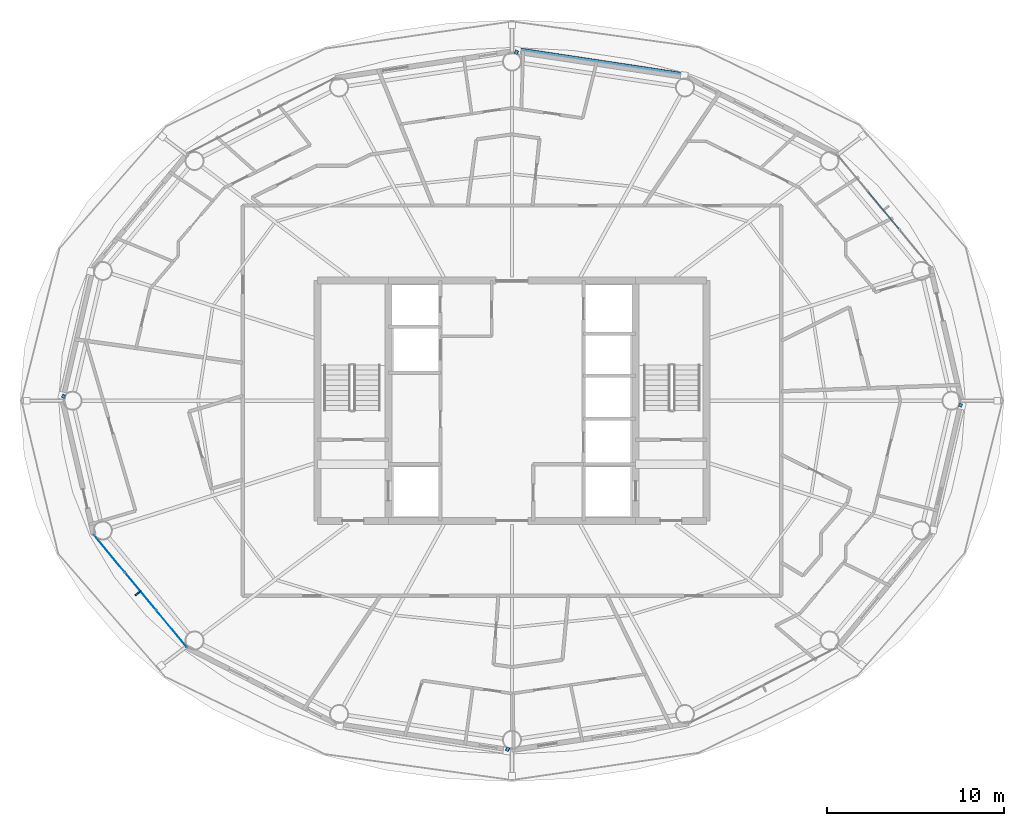
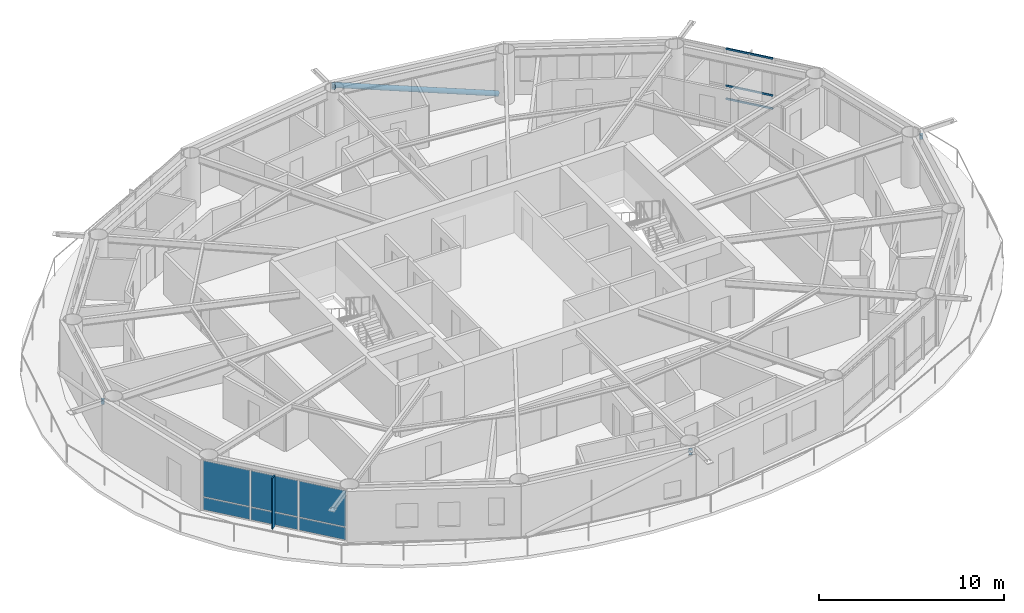
# One storey, part 12 of 23: 8 members, 7 plates, 2 elements without a shape of their own.
"""IFC4 building model written with IfcOpenShell, lengths in metres."""

from ifc_helpers import new_model, si_unit, direction, frame, origin, origin_2d, place, context, subcontext, project, spatial, rectangle, hollow_rectangle, hollow_circle, extrude, material, layer, layer_set, material_profile, profile_set, type_object, element, aggregate, save


model = new_model("IFC4")

# Units and contexts
model_context = context("Model", 3, precision=1e-05, world=origin(), true_north=direction((0.0, 1.0)))
body_context = subcontext(model_context, "Body", "Model", "MODEL_VIEW")
ifc_project = project(units=[si_unit("LENGTHUNIT", "METRE"), si_unit("AREAUNIT", "SQUARE_METRE"), si_unit("VOLUMEUNIT", "CUBIC_METRE"), si_unit("PLANEANGLEUNIT", "RADIAN"), si_unit("MASSUNIT", "GRAM", prefix="KILO")], contexts=[model_context])

# Site, building, storey
site_placement = place(None, origin())
site = spatial("IfcSite", under=ifc_project, at=site_placement, CompositionType="ELEMENT")
building_placement = place(site_placement, origin())
building = spatial("IfcBuilding", under=site, at=building_placement, Name="Sarneth Arch Tower", CompositionType="ELEMENT")
storey_placement = place(building_placement, frame((0.0, 0.0, 235.199951171875)))
storey = spatial("IfcBuildingStorey", under=building, at=storey_placement, Name="L60", CompositionType="ELEMENT", Elevation=235.199951171875)

# Curtain wall, members
ifc_material_1 = material(Name="Anodised aluminium Type AA25 and solar-control low-e laminated IGU", Category="aluminium")
ifc_layer_1 = layer(ifc_material_1, 0.179931640625)
ifc_layer_set_1 = layer_set([ifc_layer_1], Name="Anodised aluminium Type AA25 and solar-control low-e laminated IGU")
curtain_wall_type = type_object("IfcCurtainWallType", Name="CW-RES-HIGH", PredefinedType="NOTDEFINED", material=ifc_layer_set_1)
curtain_wall_1_placement = place(storey_placement, origin())
curtain_wall_1 = element("IfcCurtainWall", 1, at=curtain_wall_1_placement, inside=storey, type_object=curtain_wall_type, Name="L60 Unitised curtain wall facet 02", PredefinedType="NOTDEFINED")
ifc_material_2 = material(Name="Anodised Aluminium 6063-T6", Category="aluminium")
ifc_material_profile_1 = material_profile(ifc_material_2, hollow_rectangle(XDim=0.06005859375, YDim=0.1201171875, WallThickness=0.00390625, at=origin_2d()), Name="AL-TRAN-120x60x4")
ifc_profile_set_1 = profile_set([ifc_material_profile_1], Name="Anodised Aluminium 6063-T6")
member_type_1 = type_object("IfcMemberType", Name="CW-TRANSOM", PredefinedType="USERDEFINED", material=ifc_profile_set_1)
member_1_placement = place(storey_placement, frame((69.904296875, 51.731689453125, 0.030029296875), z_axis=(-0.637617371902, 0.770353222261, 0.0), x_axis=(-0.770353222261, -0.637617371902, 0.0)))
member_1 = element("IfcMember", 2, at=member_1_placement, type_object=member_type_1, Name="CW-SYS-6 transom 2.1", ObjectType="TRANSOM", PredefinedType="USERDEFINED", context=body_context, shape_type="SweptSolid", body=[
    extrude(hollow_rectangle(XDim=0.06005859375, YDim=0.1201171875, WallThickness=0.00390625, at=origin_2d()), origin(), (0.0, 0.0, 1.0), 2.716552734375),
])
member_2_placement = place(storey_placement, frame((69.904296875, 51.731689453125, 0.900146484375), z_axis=(-0.637617371902, 0.770353222261, 0.0), x_axis=(-0.770353222261, -0.637617371902, 0.0)))
member_2 = element("IfcMember", 3, at=member_2_placement, type_object=member_type_1, Name="CW-SYS-6 transom 2.2", ObjectType="TRANSOM", PredefinedType="USERDEFINED", context=body_context, shape_type="SweptSolid", body=[
    extrude(hollow_rectangle(XDim=0.06005859375, YDim=0.1201171875, WallThickness=0.00390625, at=origin_2d()), origin(), (0.0, 0.0, 1.0), 2.716552734375),
])
member_3_placement = place(storey_placement, frame((69.904296875, 51.731689453125, 3.330078125), z_axis=(-0.637617371902, 0.770353222261, 0.0), x_axis=(-0.770353222261, -0.637617371902, 0.0)))
member_3 = element("IfcMember", 4, at=member_3_placement, type_object=member_type_1, Name="CW-SYS-6 transom 2.3", ObjectType="TRANSOM", PredefinedType="USERDEFINED", context=body_context, shape_type="SweptSolid", body=[
    extrude(hollow_rectangle(XDim=0.06005859375, YDim=0.1201171875, WallThickness=0.00390625, at=origin_2d()), origin(), (0.0, 0.0, 1.0), 2.716552734375),
])
aggregate(curtain_wall_1, [member_1, member_2, member_3])

# Members
ifc_material_3 = material(Name="Steel S355", Category="steel")
ifc_material_profile_2 = material_profile(ifc_material_3, hollow_rectangle(XDim=0.199951171875, YDim=0.300048828125, WallThickness=0.012451171875, InnerFilletRadius=0.018798828125, OuterFilletRadius=0.03125, at=origin_2d()), Name="RHS300x200x12.5")
ifc_profile_set_2 = profile_set([ifc_material_profile_2], Name="Steel S355")
member_type_2 = type_object("IfcMemberType", Name="MEM-CANT-STRUT", PredefinedType="STRUT", material=ifc_profile_set_2)
member_4_placement = place(storey_placement, frame((48.199951171875, 61.628173828125, 3.03662109375), z_axis=(0.422710146308, 0.906264934888, 0.0), x_axis=(-0.906264934888, 0.422710146308, 0.0)))
element("IfcMember", 5, at=member_4_placement, inside=storey, type_object=member_type_2, Name="L60 Exoskeleton brace node strut 04B", PredefinedType="STRUT", context=body_context, shape_type="SweptSolid", body=[
    extrude(hollow_rectangle(XDim=0.199951171875, YDim=0.300048828125, WallThickness=0.012451171875, InnerFilletRadius=0.018798828125, OuterFilletRadius=0.03125, at=origin_2d()), origin(), (0.0, 0.0, 1.0), 0.228759765625),
])
member_5_placement = place(storey_placement, frame((22.69287109375, 42.208740234375, 3.03662109375), z_axis=(-0.89699725539, 0.442036111446, 0.0), x_axis=(-0.442036111446, -0.89699725539, 0.0)))
element("IfcMember", 6, at=member_5_placement, inside=storey, type_object=member_type_2, Name="L60 Exoskeleton brace node strut 08B", PredefinedType="STRUT", context=body_context, shape_type="SweptSolid", body=[
    extrude(hollow_rectangle(XDim=0.199951171875, YDim=0.300048828125, WallThickness=0.012451171875, InnerFilletRadius=0.018798828125, OuterFilletRadius=0.03125, at=origin_2d()), origin(), (0.0, 0.0, 1.0), 0.18896484375),
])
member_6_placement = place(storey_placement, frame((47.800048828125, 22.371826171875, 3.03662109375), z_axis=(-0.422710146308, -0.906264934888, 0.0), x_axis=(0.906264934888, -0.422710146308, 0.0)))
element("IfcMember", 7, at=member_6_placement, inside=storey, type_object=member_type_2, Name="L60 Exoskeleton brace node strut 12B", PredefinedType="STRUT", context=body_context, shape_type="SweptSolid", body=[
    extrude(hollow_rectangle(XDim=0.199951171875, YDim=0.300048828125, WallThickness=0.012451171875, InnerFilletRadius=0.018798828125, OuterFilletRadius=0.03125, at=origin_2d()), origin(), (0.0, 0.0, 1.0), 0.228759765625),
])
member_7_placement = place(storey_placement, frame((73.30712890625, 41.791259765625, 3.03662109375), z_axis=(0.89699725539, -0.442036111446, 0.0), x_axis=(0.442036111446, 0.89699725539, 0.0)))
element("IfcMember", 8, at=member_7_placement, inside=storey, type_object=member_type_2, Name="L60 Exoskeleton brace node strut 16B", PredefinedType="STRUT", context=body_context, shape_type="SweptSolid", body=[
    extrude(hollow_rectangle(XDim=0.199951171875, YDim=0.300048828125, WallThickness=0.012451171875, InnerFilletRadius=0.018798828125, OuterFilletRadius=0.03125, at=origin_2d()), origin(), (0.0, 0.0, 1.0), 0.18896484375),
])
ifc_material_4 = material(Name="Steel S355", Category="steel")
ifc_material_profile_3 = material_profile(ifc_material_4, hollow_circle(Radius=0.162109375, WallThickness=0.012451171875, at=origin_2d()), Name="CHS324x12.5")
ifc_profile_set_3 = profile_set([ifc_material_profile_3], Name="Steel S355")
member_type_3 = type_object("IfcMemberType", Name="MEM-DIAG-BR3", PredefinedType="BRACE", material=ifc_profile_set_3)
member_8_placement = place(storey_placement, frame((57.754150390625, 60.411376953125, 0.02001953125), z_axis=(-0.943056107878, 0.142001297879, 0.300800280576), x_axis=(-0.148897148305, -0.988852688335, 0.0)))
element("IfcMember", 9, at=member_8_placement, inside=storey, type_object=member_type_3, Name="L60 Perimeter frame diagonal 04", PredefinedType="BRACE", context=body_context, shape_type="SweptSolid", body=[
    extrude(hollow_circle(Radius=0.162109375, WallThickness=0.012451171875, at=origin_2d()), origin(), (0.0, 0.0, 1.0), 10.028564453125),
])

# Curtain wall, plates
curtain_wall_2_placement = place(storey_placement, origin())
curtain_wall_2 = element("IfcCurtainWall", 10, at=curtain_wall_2_placement, inside=storey, type_object=curtain_wall_type, Name="L60 Unitised curtain wall facet 10", PredefinedType="NOTDEFINED")
ifc_material_5 = material(Name="Solar-control low-e laminated IGU", Category="glass")
ifc_layer_2 = layer(ifc_material_5, 0.028076171875)
ifc_layer_set_2 = layer_set([ifc_layer_2], Name="Solar-control low-e laminated IGU")
plate_type_1 = type_object("IfcPlateType", Name="CW-PANEL", PredefinedType="CURTAIN_PANEL", material=ifc_layer_set_2)
plate_1_placement = place(storey_placement, frame((25.200927734375, 33.349365234375, 0.06005859375), z_axis=(0.0, 0.0, 1.0), x_axis=(0.637610094184, -0.770359245933, 0.0)))
plate_1 = element("IfcPlate", 11, at=plate_1_placement, type_object=plate_type_1, Name="Curtain wall glazed vision pane CW-L60-F10/P00-00", PredefinedType="CURTAIN_PANEL", context=body_context, shape_type="SweptSolid", body=[
    extrude(rectangle(XDim=2.686767578125, YDim=0.028076171875, at=origin_2d()), origin(), (0.0, 0.0, 1.0), 0.81005859375),
])
plate_2_placement = place(storey_placement, frame((25.200927734375, 33.349365234375, 0.929931640625), z_axis=(0.0, 0.0, 1.0), x_axis=(0.637610094184, -0.770359245933, 0.0)))
plate_2 = element("IfcPlate", 12, at=plate_2_placement, type_object=plate_type_1, Name="Curtain wall glazed vision pane CW-L60-F10/P00-01", PredefinedType="CURTAIN_PANEL", context=body_context, shape_type="SweptSolid", body=[
    extrude(rectangle(XDim=2.686767578125, YDim=0.028076171875, at=origin_2d()), origin(), (0.0, 0.0, 1.0), 2.3701171875),
])
plate_3_placement = place(storey_placement, frame((26.9619140625, 31.221923828125, 0.06005859375), z_axis=(0.0, 0.0, 1.0), x_axis=(0.637610094184, -0.770359245933, 0.0)))
plate_3 = element("IfcPlate", 13, at=plate_3_placement, type_object=plate_type_1, Name="Curtain wall glazed vision pane CW-L60-F10/P01-00", PredefinedType="CURTAIN_PANEL", context=body_context, shape_type="SweptSolid", body=[
    extrude(rectangle(XDim=2.716552734375, YDim=0.028076171875, at=origin_2d()), origin(), (0.0, 0.0, 1.0), 0.81005859375),
])
plate_4_placement = place(storey_placement, frame((26.9619140625, 31.221923828125, 0.929931640625), z_axis=(0.0, 0.0, 1.0), x_axis=(0.637610094184, -0.770359245933, 0.0)))
plate_4 = element("IfcPlate", 14, at=plate_4_placement, type_object=plate_type_1, Name="Curtain wall glazed vision pane CW-L60-F10/P01-01", PredefinedType="CURTAIN_PANEL", context=body_context, shape_type="SweptSolid", body=[
    extrude(rectangle(XDim=2.716552734375, YDim=0.028076171875, at=origin_2d()), origin(), (0.0, 0.0, 1.0), 2.3701171875),
])
plate_5_placement = place(storey_placement, frame((28.72265625, 29.094482421875, 0.06005859375), z_axis=(0.0, 0.0, 1.0), x_axis=(0.637610094184, -0.770359245933, 0.0)))
plate_5 = element("IfcPlate", 15, at=plate_5_placement, type_object=plate_type_1, Name="Curtain wall glazed vision pane CW-L60-F10/P02-00", PredefinedType="CURTAIN_PANEL", context=body_context, shape_type="SweptSolid", body=[
    extrude(rectangle(XDim=2.686767578125, YDim=0.028076171875, at=origin_2d()), origin(), (0.0, 0.0, 1.0), 0.81005859375),
])
plate_6_placement = place(storey_placement, frame((28.72265625, 29.094482421875, 0.929931640625), z_axis=(0.0, 0.0, 1.0), x_axis=(0.637610094184, -0.770359245933, 0.0)))
plate_6 = element("IfcPlate", 16, at=plate_6_placement, type_object=plate_type_1, Name="Curtain wall glazed vision pane CW-L60-F10/P02-01", PredefinedType="CURTAIN_PANEL", context=body_context, shape_type="SweptSolid", body=[
    extrude(rectangle(XDim=2.686767578125, YDim=0.028076171875, at=origin_2d()), origin(), (0.0, 0.0, 1.0), 2.3701171875),
])
aggregate(curtain_wall_2, [plate_1, plate_2, plate_3, plate_4, plate_5, plate_6])

# Plate
ifc_material_6 = material(Name="Extruded glazed terracotta baguette fin on Aluminium 6063-T6 carrier", Category="masonry")
ifc_layer_3 = layer(ifc_material_6, 0.080078125)
ifc_layer_set_3 = layer_set([ifc_layer_3], Name="Extruded glazed terracotta baguette fin on Aluminium 6063-T6 carrier")
plate_type_2 = type_object("IfcPlateType", Name="SHADE-TERRA-FIN", PredefinedType="SHEET", material=ifc_layer_set_3)
plate_7_placement = place(storey_placement, frame((26.830810546875, 31.113525390625, 0.009765625), z_axis=(0.0, 0.0, 1.0), x_axis=(-0.770401979567, -0.63755845997, 0.0)))
element("IfcPlate", 17, at=plate_7_placement, inside=storey, type_object=plate_type_2, Name="L60 Terracotta vertical shading fin 10", PredefinedType="SHEET", context=body_context, shape_type="SweptSolid", body=[
    extrude(rectangle(XDim=0.419921875, YDim=0.080078125, at=origin_2d()), origin(), (0.0, 0.0, 1.0), 3.340087890625),
])

save(model, "model.ifc")
